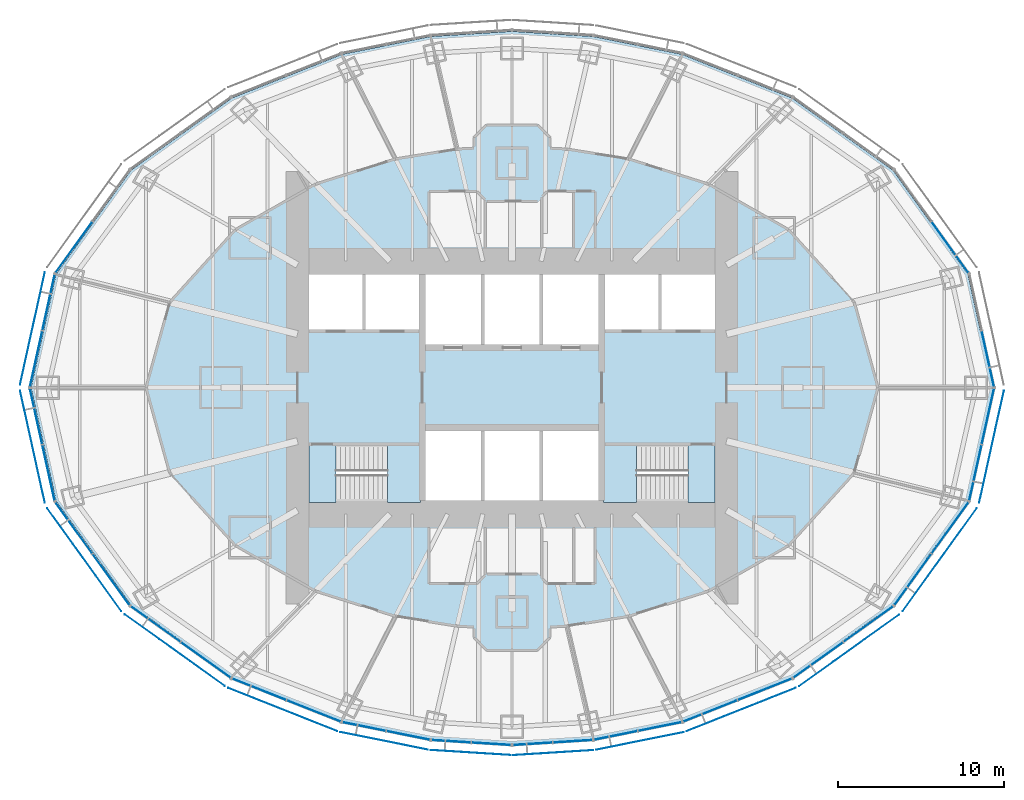
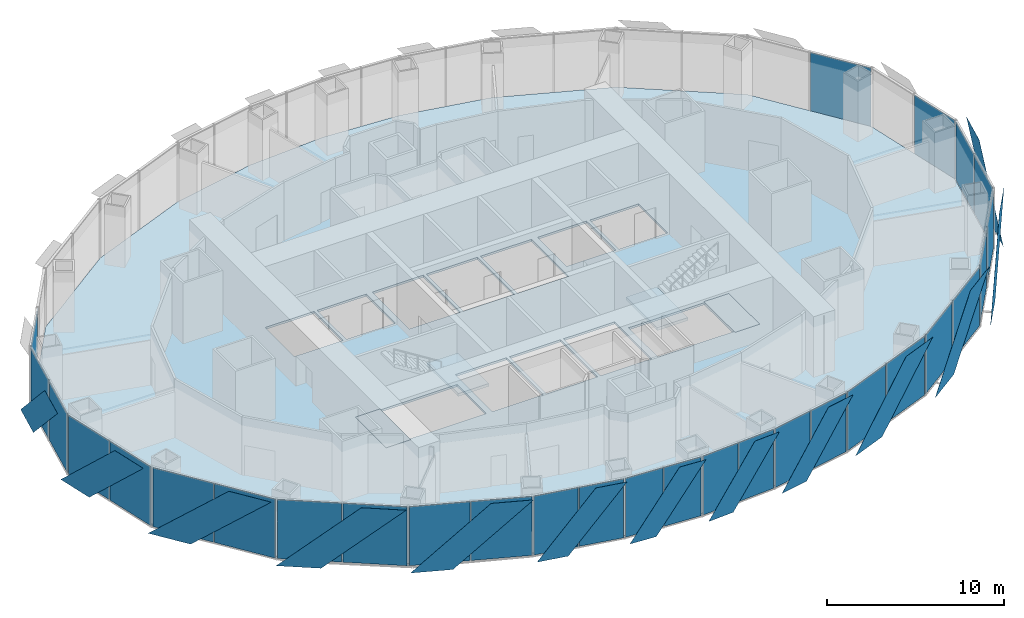
# One storey, part 9 of 18: 42 plates, 5 slabs, 18 elements without a shape of their own.
"""IFC4 building model written with IfcOpenShell, lengths in metres."""

from ifc_helpers import new_model, si_unit, direction, frame, origin, origin_2d, place, context, subcontext, project, spatial, polyline, rectangle, outline, extrude, material, layer, layer_set, type_object, element, aggregate, save


model = new_model("IFC4")

# Units and contexts
model_context = context("Model", 3, precision=1e-05, world=origin(), true_north=direction((0.0, 1.0)))
body_context = subcontext(model_context, "Body", "Model", "MODEL_VIEW")
ifc_project = project(units=[si_unit("LENGTHUNIT", "METRE"), si_unit("AREAUNIT", "SQUARE_METRE"), si_unit("VOLUMEUNIT", "CUBIC_METRE"), si_unit("PLANEANGLEUNIT", "RADIAN"), si_unit("MASSUNIT", "GRAM", prefix="KILO")], contexts=[model_context])

# Site, building, storey
site_placement = place(None, origin())
site = spatial("IfcSite", under=ifc_project, at=site_placement, CompositionType="ELEMENT")
building_placement = place(site_placement, origin())
building = spatial("IfcBuilding", under=site, at=building_placement, Name="Lantaw Convention Tower", CompositionType="ELEMENT")
storey_placement = place(building_placement, frame((0.0, 0.0, 172.0)))
storey = spatial("IfcBuildingStorey", under=building, at=storey_placement, Name="L40", CompositionType="ELEMENT", Elevation=172.0)

# Curtain wall, plate
ifc_material_1 = material(Name="Aluminium framed curtain wall", Category="aluminium")
curtain_wall_type = type_object("IfcCurtainWallType", Name="Office curtain wall low rise, pale aluminium", PredefinedType="USERDEFINED", material=ifc_material_1)
curtain_wall_1_placement = place(storey_placement, origin())
curtain_wall_1 = element("IfcCurtainWall", 1, at=curtain_wall_1_placement, inside=storey, type_object=curtain_wall_type, Name="Office curtain wall low rise, pale aluminium L40", ObjectType="UNITISED CURTAIN WALL", PredefinedType="USERDEFINED")
ifc_material_2 = material(Name="Clear insulating glass", Category="glass")
ifc_layer_1 = layer(ifc_material_2, 0.028076171875)
ifc_layer_set_1 = layer_set([ifc_layer_1], Name="CW-O1 panel 28")
plate_type_1 = type_object("IfcPlateType", Name="CW-O1 panel 28", PredefinedType="CURTAIN_PANEL", material=ifc_layer_set_1)
plate_1_placement = place(storey_placement, frame((28.618408203125, 1.729248046875, -0.0849609375), z_axis=(0.0, 0.0, 1.0), x_axis=(-0.215546166174, 0.9764936509, 0.0)))
plate_1 = element("IfcPlate", 2, at=plate_1_placement, type_object=plate_type_1, Name="CW-O1 panel 1.1", PredefinedType="CURTAIN_PANEL", context=body_context, shape_type="SweptSolid", body=[
    extrude(rectangle(XDim=3.41162109375, YDim=0.028076171875, at=origin_2d()), origin(), (0.0, 0.0, 1.0), 4.070068359375),
])
aggregate(curtain_wall_1, [plate_1])

curtain_wall_2_placement = place(storey_placement, origin())
curtain_wall_2 = element("IfcCurtainWall", 3, at=curtain_wall_2_placement, inside=storey, type_object=curtain_wall_type, Name="Office curtain wall low rise, pale aluminium L40", ObjectType="UNITISED CURTAIN WALL", PredefinedType="USERDEFINED")
plate_2_placement = place(storey_placement, frame((26.34814453125, 8.4345703125, -0.0849609375), z_axis=(0.0, 0.0, 1.0), x_axis=(-0.584512597221, 0.811384633629, 0.0)))
plate_2 = element("IfcPlate", 4, at=plate_2_placement, type_object=plate_type_1, Name="CW-O1 panel 1.1", PredefinedType="CURTAIN_PANEL", context=body_context, shape_type="SweptSolid", body=[
    extrude(rectangle(XDim=3.767333984375, YDim=0.028076171875, at=origin_2d()), origin(), (0.0, 0.0, 1.0), 4.070068359375),
])
aggregate(curtain_wall_2, [plate_2])

curtain_wall_3_placement = place(storey_placement, origin())
curtain_wall_3 = element("IfcCurtainWall", 5, at=curtain_wall_3_placement, inside=storey, type_object=curtain_wall_type, Name="Office curtain wall low rise, pale aluminium L40", ObjectType="UNITISED CURTAIN WALL", PredefinedType="USERDEFINED")
plate_3_placement = place(storey_placement, frame((-26.34814453125, 8.4345703125, -0.0849609375), z_axis=(0.0, 0.0, 1.0), x_axis=(-0.584512597221, -0.811384633629, 0.0)))
plate_3 = element("IfcPlate", 6, at=plate_3_placement, type_object=plate_type_1, Name="CW-O1 panel 2.1", PredefinedType="CURTAIN_PANEL", context=body_context, shape_type="SweptSolid", body=[
    extrude(rectangle(XDim=3.767333984375, YDim=0.028076171875, at=origin_2d()), origin(), (0.0, 0.0, 1.0), 4.070068359375),
])
aggregate(curtain_wall_3, [plate_3])

# Curtain wall, plates
curtain_wall_4_placement = place(storey_placement, origin())
curtain_wall_4 = element("IfcCurtainWall", 7, at=curtain_wall_4_placement, inside=storey, type_object=curtain_wall_type, Name="Office curtain wall low rise, pale aluminium L40", ObjectType="UNITISED CURTAIN WALL", PredefinedType="USERDEFINED")
plate_4_placement = place(storey_placement, frame((-27.868896484375, 5.1240234375, -0.0849609375), z_axis=(0.0, 0.0, 1.0), x_axis=(-0.215546166174, -0.9764936509, 0.0)))
plate_4 = element("IfcPlate", 8, at=plate_4_placement, type_object=plate_type_1, Name="CW-O1 panel 1.1", PredefinedType="CURTAIN_PANEL", context=body_context, shape_type="SweptSolid", body=[
    extrude(rectangle(XDim=3.41162109375, YDim=0.028076171875, at=origin_2d()), origin(), (0.0, 0.0, 1.0), 4.070068359375),
])
plate_5_placement = place(storey_placement, frame((-28.618408203125, 1.729248046875, -0.0849609375), z_axis=(0.0, 0.0, 1.0), x_axis=(-0.215546166174, -0.9764936509, 0.0)))
plate_5 = element("IfcPlate", 9, at=plate_5_placement, type_object=plate_type_1, Name="CW-O1 panel 2.1", PredefinedType="CURTAIN_PANEL", context=body_context, shape_type="SweptSolid", body=[
    extrude(rectangle(XDim=3.41162109375, YDim=0.028076171875, at=origin_2d()), origin(), (0.0, 0.0, 1.0), 4.070068359375),
])
aggregate(curtain_wall_4, [plate_4, plate_5])

curtain_wall_5_placement = place(storey_placement, origin())
curtain_wall_5 = element("IfcCurtainWall", 10, at=curtain_wall_5_placement, inside=storey, type_object=curtain_wall_type, Name="Office curtain wall low rise, pale aluminium L40", ObjectType="UNITISED CURTAIN WALL", PredefinedType="USERDEFINED")
plate_6_placement = place(storey_placement, frame((-28.618408203125, -1.729248046875, -0.0849609375), z_axis=(0.0, 0.0, 1.0), x_axis=(0.215546166174, -0.9764936509, 0.0)))
plate_6 = element("IfcPlate", 11, at=plate_6_placement, type_object=plate_type_1, Name="CW-O1 panel 1.1", PredefinedType="CURTAIN_PANEL", context=body_context, shape_type="SweptSolid", body=[
    extrude(rectangle(XDim=3.41162109375, YDim=0.028076171875, at=origin_2d()), origin(), (0.0, 0.0, 1.0), 4.070068359375),
])
plate_7_placement = place(storey_placement, frame((-27.868896484375, -5.1240234375, -0.0849609375), z_axis=(0.0, 0.0, 1.0), x_axis=(0.215546166174, -0.9764936509, 0.0)))
plate_7 = element("IfcPlate", 12, at=plate_7_placement, type_object=plate_type_1, Name="CW-O1 panel 2.1", PredefinedType="CURTAIN_PANEL", context=body_context, shape_type="SweptSolid", body=[
    extrude(rectangle(XDim=3.41162109375, YDim=0.028076171875, at=origin_2d()), origin(), (0.0, 0.0, 1.0), 4.070068359375),
])
aggregate(curtain_wall_5, [plate_6, plate_7])

curtain_wall_6_placement = place(storey_placement, origin())
curtain_wall_6 = element("IfcCurtainWall", 13, at=curtain_wall_6_placement, inside=storey, type_object=curtain_wall_type, Name="Office curtain wall low rise, pale aluminium L40", ObjectType="UNITISED CURTAIN WALL", PredefinedType="USERDEFINED")
plate_8_placement = place(storey_placement, frame((-26.34814453125, -8.4345703125, -0.0849609375), z_axis=(0.0, 0.0, 1.0), x_axis=(0.584512597221, -0.811384633629, 0.0)))
plate_8 = element("IfcPlate", 14, at=plate_8_placement, type_object=plate_type_1, Name="CW-O1 panel 1.1", PredefinedType="CURTAIN_PANEL", context=body_context, shape_type="SweptSolid", body=[
    extrude(rectangle(XDim=3.767333984375, YDim=0.028076171875, at=origin_2d()), origin(), (0.0, 0.0, 1.0), 4.070068359375),
])
plate_9_placement = place(storey_placement, frame((-24.108154296875, -11.5439453125, -0.0849609375), z_axis=(0.0, 0.0, 1.0), x_axis=(0.584512597221, -0.811384633629, 0.0)))
plate_9 = element("IfcPlate", 15, at=plate_9_placement, type_object=plate_type_1, Name="CW-O1 panel 2.1", PredefinedType="CURTAIN_PANEL", context=body_context, shape_type="SweptSolid", body=[
    extrude(rectangle(XDim=3.767333984375, YDim=0.028076171875, at=origin_2d()), origin(), (0.0, 0.0, 1.0), 4.070068359375),
])
aggregate(curtain_wall_6, [plate_8, plate_9])

curtain_wall_7_placement = place(storey_placement, origin())
curtain_wall_7 = element("IfcCurtainWall", 16, at=curtain_wall_7_placement, inside=storey, type_object=curtain_wall_type, Name="Office curtain wall low rise, pale aluminium L40", ObjectType="UNITISED CURTAIN WALL", PredefinedType="USERDEFINED")
plate_10_placement = place(storey_placement, frame((-21.43408203125, -14.2236328125, -0.0849609375), z_axis=(0.0, 0.0, 1.0), x_axis=(0.813208325995, -0.581972695693, 0.0)))
plate_10 = element("IfcPlate", 17, at=plate_10_placement, type_object=plate_type_1, Name="CW-O1 panel 1.1", PredefinedType="CURTAIN_PANEL", context=body_context, shape_type="SweptSolid", body=[
    extrude(rectangle(XDim=3.645263671875, YDim=0.028076171875, at=origin_2d()), origin(), (0.0, 0.0, 1.0), 4.070068359375),
])
plate_11_placement = place(storey_placement, frame((-18.416748046875, -16.383056640625, -0.0849609375), z_axis=(0.0, 0.0, 1.0), x_axis=(0.813208325995, -0.581972695693, 0.0)))
plate_11 = element("IfcPlate", 18, at=plate_11_placement, type_object=plate_type_1, Name="CW-O1 panel 2.1", PredefinedType="CURTAIN_PANEL", context=body_context, shape_type="SweptSolid", body=[
    extrude(rectangle(XDim=3.645263671875, YDim=0.028076171875, at=origin_2d()), origin(), (0.0, 0.0, 1.0), 4.070068359375),
])
aggregate(curtain_wall_7, [plate_10, plate_11])

curtain_wall_8_placement = place(storey_placement, origin())
curtain_wall_8 = element("IfcCurtainWall", 19, at=curtain_wall_8_placement, inside=storey, type_object=curtain_wall_type, Name="Office curtain wall low rise, pale aluminium L40", ObjectType="UNITISED CURTAIN WALL", PredefinedType="USERDEFINED")
plate_12_placement = place(storey_placement, frame((-15.208251953125, -18.145263671875, -0.0849609375), z_axis=(0.0, 0.0, 1.0), x_axis=(0.929547687544, -0.368701907483, 0.0)))
plate_12 = element("IfcPlate", 20, at=plate_12_placement, type_object=plate_type_1, Name="CW-O1 panel 1.1", PredefinedType="CURTAIN_PANEL", context=body_context, shape_type="SweptSolid", body=[
    extrude(rectangle(XDim=3.470703125, YDim=0.028076171875, at=origin_2d()), origin(), (0.0, 0.0, 1.0), 4.070068359375),
])
plate_13_placement = place(storey_placement, frame((-11.921630859375, -19.448974609375, -0.0849609375), z_axis=(0.0, 0.0, 1.0), x_axis=(0.929547687544, -0.368701907483, 0.0)))
plate_13 = element("IfcPlate", 21, at=plate_13_placement, type_object=plate_type_1, Name="CW-O1 panel 2.1", PredefinedType="CURTAIN_PANEL", context=body_context, shape_type="SweptSolid", body=[
    extrude(rectangle(XDim=3.470703125, YDim=0.028076171875, at=origin_2d()), origin(), (0.0, 0.0, 1.0), 4.070068359375),
])
aggregate(curtain_wall_8, [plate_12, plate_13])

curtain_wall_9_placement = place(storey_placement, origin())
curtain_wall_9 = element("IfcCurtainWall", 22, at=curtain_wall_9_placement, inside=storey, type_object=curtain_wall_type, Name="Office curtain wall low rise, pale aluminium L40", ObjectType="UNITISED CURTAIN WALL", PredefinedType="USERDEFINED")
plate_14_placement = place(storey_placement, frame((-8.893310546875, -20.3857421875, -0.0849609375), z_axis=(0.0, 0.0, 1.0), x_axis=(0.980301514912, -0.197506809659, 0.0)))
plate_14 = element("IfcPlate", 23, at=plate_14_placement, type_object=plate_type_1, Name="CW-O1 panel 1.1", PredefinedType="CURTAIN_PANEL", context=body_context, shape_type="SweptSolid", body=[
    extrude(rectangle(XDim=2.634033203125, YDim=0.028076171875, at=origin_2d()), origin(), (0.0, 0.0, 1.0), 4.070068359375),
])
plate_15_placement = place(storey_placement, frame((-6.247314453125, -20.9189453125, -0.0849609375), z_axis=(0.0, 0.0, 1.0), x_axis=(0.980301514912, -0.197506809659, 0.0)))
plate_15 = element("IfcPlate", 24, at=plate_15_placement, type_object=plate_type_1, Name="CW-O1 panel 2.1", PredefinedType="CURTAIN_PANEL", context=body_context, shape_type="SweptSolid", body=[
    extrude(rectangle(XDim=2.634033203125, YDim=0.028076171875, at=origin_2d()), origin(), (0.0, 0.0, 1.0), 4.070068359375),
])
aggregate(curtain_wall_9, [plate_14, plate_15])

curtain_wall_10_placement = place(storey_placement, origin())
curtain_wall_10 = element("IfcCurtainWall", 25, at=curtain_wall_10_placement, inside=storey, type_object=curtain_wall_type, Name="Office curtain wall low rise, pale aluminium L40", ObjectType="UNITISED CURTAIN WALL", PredefinedType="USERDEFINED")
plate_16_placement = place(storey_placement, frame((-3.653076171875, -21.269775390625, -0.0849609375), z_axis=(0.0, 0.0, 1.0), x_axis=(0.998022035978, -0.062865059466, 0.0)))
plate_16 = element("IfcPlate", 26, at=plate_16_placement, type_object=plate_type_1, Name="CW-O1 panel 1.1", PredefinedType="CURTAIN_PANEL", context=body_context, shape_type="SweptSolid", body=[
    extrude(rectangle(XDim=2.353515625, YDim=0.028076171875, at=origin_2d()), origin(), (0.0, 0.0, 1.0), 4.070068359375),
])
plate_17_placement = place(storey_placement, frame((-1.2392578125, -21.421875, -0.0849609375), z_axis=(0.0, 0.0, 1.0), x_axis=(0.998022035978, -0.062865059466, 0.0)))
plate_17 = element("IfcPlate", 27, at=plate_17_placement, type_object=plate_type_1, Name="CW-O1 panel 2.1", PredefinedType="CURTAIN_PANEL", context=body_context, shape_type="SweptSolid", body=[
    extrude(rectangle(XDim=2.353515625, YDim=0.028076171875, at=origin_2d()), origin(), (0.0, 0.0, 1.0), 4.070068359375),
])
aggregate(curtain_wall_10, [plate_16, plate_17])

curtain_wall_11_placement = place(storey_placement, origin())
curtain_wall_11 = element("IfcCurtainWall", 28, at=curtain_wall_11_placement, inside=storey, type_object=curtain_wall_type, Name="Office curtain wall low rise, pale aluminium L40", ObjectType="UNITISED CURTAIN WALL", PredefinedType="USERDEFINED")
plate_18_placement = place(storey_placement, frame((1.2392578125, -21.421875, -0.0849609375), z_axis=(0.0, 0.0, 1.0), x_axis=(0.998022035978, 0.062865059466, 0.0)))
plate_18 = element("IfcPlate", 29, at=plate_18_placement, type_object=plate_type_1, Name="CW-O1 panel 1.1", PredefinedType="CURTAIN_PANEL", context=body_context, shape_type="SweptSolid", body=[
    extrude(rectangle(XDim=2.353515625, YDim=0.028076171875, at=origin_2d()), origin(), (0.0, 0.0, 1.0), 4.070068359375),
])
plate_19_placement = place(storey_placement, frame((3.653076171875, -21.269775390625, -0.0849609375), z_axis=(0.0, 0.0, 1.0), x_axis=(0.998022035978, 0.062865059466, 0.0)))
plate_19 = element("IfcPlate", 30, at=plate_19_placement, type_object=plate_type_1, Name="CW-O1 panel 2.1", PredefinedType="CURTAIN_PANEL", context=body_context, shape_type="SweptSolid", body=[
    extrude(rectangle(XDim=2.353515625, YDim=0.028076171875, at=origin_2d()), origin(), (0.0, 0.0, 1.0), 4.070068359375),
])
aggregate(curtain_wall_11, [plate_18, plate_19])

curtain_wall_12_placement = place(storey_placement, origin())
curtain_wall_12 = element("IfcCurtainWall", 31, at=curtain_wall_12_placement, inside=storey, type_object=curtain_wall_type, Name="Office curtain wall low rise, pale aluminium L40", ObjectType="UNITISED CURTAIN WALL", PredefinedType="USERDEFINED")
plate_20_placement = place(storey_placement, frame((6.247314453125, -20.9189453125, -0.0849609375), z_axis=(0.0, 0.0, 1.0), x_axis=(0.980301514912, 0.197506809659, 0.0)))
plate_20 = element("IfcPlate", 32, at=plate_20_placement, type_object=plate_type_1, Name="CW-O1 panel 1.1", PredefinedType="CURTAIN_PANEL", context=body_context, shape_type="SweptSolid", body=[
    extrude(rectangle(XDim=2.634033203125, YDim=0.028076171875, at=origin_2d()), origin(), (0.0, 0.0, 1.0), 4.070068359375),
])
plate_21_placement = place(storey_placement, frame((8.893310546875, -20.3857421875, -0.0849609375), z_axis=(0.0, 0.0, 1.0), x_axis=(0.980301514912, 0.197506809659, 0.0)))
plate_21 = element("IfcPlate", 33, at=plate_21_placement, type_object=plate_type_1, Name="CW-O1 panel 2.1", PredefinedType="CURTAIN_PANEL", context=body_context, shape_type="SweptSolid", body=[
    extrude(rectangle(XDim=2.634033203125, YDim=0.028076171875, at=origin_2d()), origin(), (0.0, 0.0, 1.0), 4.070068359375),
])
aggregate(curtain_wall_12, [plate_20, plate_21])

curtain_wall_13_placement = place(storey_placement, origin())
curtain_wall_13 = element("IfcCurtainWall", 34, at=curtain_wall_13_placement, inside=storey, type_object=curtain_wall_type, Name="Office curtain wall low rise, pale aluminium L40", ObjectType="UNITISED CURTAIN WALL", PredefinedType="USERDEFINED")
plate_22_placement = place(storey_placement, frame((11.921630859375, -19.448974609375, -0.0849609375), z_axis=(0.0, 0.0, 1.0), x_axis=(0.929547687544, 0.368701907483, 0.0)))
plate_22 = element("IfcPlate", 35, at=plate_22_placement, type_object=plate_type_1, Name="CW-O1 panel 1.1", PredefinedType="CURTAIN_PANEL", context=body_context, shape_type="SweptSolid", body=[
    extrude(rectangle(XDim=3.470703125, YDim=0.028076171875, at=origin_2d()), origin(), (0.0, 0.0, 1.0), 4.070068359375),
])
plate_23_placement = place(storey_placement, frame((15.208251953125, -18.145263671875, -0.0849609375), z_axis=(0.0, 0.0, 1.0), x_axis=(0.929547687544, 0.368701907483, 0.0)))
plate_23 = element("IfcPlate", 36, at=plate_23_placement, type_object=plate_type_1, Name="CW-O1 panel 2.1", PredefinedType="CURTAIN_PANEL", context=body_context, shape_type="SweptSolid", body=[
    extrude(rectangle(XDim=3.470703125, YDim=0.028076171875, at=origin_2d()), origin(), (0.0, 0.0, 1.0), 4.070068359375),
])
aggregate(curtain_wall_13, [plate_22, plate_23])

curtain_wall_14_placement = place(storey_placement, origin())
curtain_wall_14 = element("IfcCurtainWall", 37, at=curtain_wall_14_placement, inside=storey, type_object=curtain_wall_type, Name="Office curtain wall low rise, pale aluminium L40", ObjectType="UNITISED CURTAIN WALL", PredefinedType="USERDEFINED")
plate_24_placement = place(storey_placement, frame((18.416748046875, -16.383056640625, -0.0849609375), z_axis=(0.0, 0.0, 1.0), x_axis=(0.813208325995, 0.581972695693, 0.0)))
plate_24 = element("IfcPlate", 38, at=plate_24_placement, type_object=plate_type_1, Name="CW-O1 panel 1.1", PredefinedType="CURTAIN_PANEL", context=body_context, shape_type="SweptSolid", body=[
    extrude(rectangle(XDim=3.645263671875, YDim=0.028076171875, at=origin_2d()), origin(), (0.0, 0.0, 1.0), 4.070068359375),
])
plate_25_placement = place(storey_placement, frame((21.43408203125, -14.2236328125, -0.0849609375), z_axis=(0.0, 0.0, 1.0), x_axis=(0.813208325995, 0.581972695693, 0.0)))
plate_25 = element("IfcPlate", 39, at=plate_25_placement, type_object=plate_type_1, Name="CW-O1 panel 2.1", PredefinedType="CURTAIN_PANEL", context=body_context, shape_type="SweptSolid", body=[
    extrude(rectangle(XDim=3.645263671875, YDim=0.028076171875, at=origin_2d()), origin(), (0.0, 0.0, 1.0), 4.070068359375),
])
aggregate(curtain_wall_14, [plate_24, plate_25])

curtain_wall_15_placement = place(storey_placement, origin())
curtain_wall_15 = element("IfcCurtainWall", 40, at=curtain_wall_15_placement, inside=storey, type_object=curtain_wall_type, Name="Office curtain wall low rise, pale aluminium L40", ObjectType="UNITISED CURTAIN WALL", PredefinedType="USERDEFINED")
plate_26_placement = place(storey_placement, frame((24.108154296875, -11.5439453125, -0.0849609375), z_axis=(0.0, 0.0, 1.0), x_axis=(0.584512597221, 0.811384633629, 0.0)))
plate_26 = element("IfcPlate", 41, at=plate_26_placement, type_object=plate_type_1, Name="CW-O1 panel 1.1", PredefinedType="CURTAIN_PANEL", context=body_context, shape_type="SweptSolid", body=[
    extrude(rectangle(XDim=3.767333984375, YDim=0.028076171875, at=origin_2d()), origin(), (0.0, 0.0, 1.0), 4.070068359375),
])
plate_27_placement = place(storey_placement, frame((26.34814453125, -8.4345703125, -0.0849609375), z_axis=(0.0, 0.0, 1.0), x_axis=(0.584512597221, 0.811384633629, 0.0)))
plate_27 = element("IfcPlate", 42, at=plate_27_placement, type_object=plate_type_1, Name="CW-O1 panel 2.1", PredefinedType="CURTAIN_PANEL", context=body_context, shape_type="SweptSolid", body=[
    extrude(rectangle(XDim=3.767333984375, YDim=0.028076171875, at=origin_2d()), origin(), (0.0, 0.0, 1.0), 4.070068359375),
])
aggregate(curtain_wall_15, [plate_26, plate_27])

curtain_wall_16_placement = place(storey_placement, origin())
curtain_wall_16 = element("IfcCurtainWall", 43, at=curtain_wall_16_placement, inside=storey, type_object=curtain_wall_type, Name="Office curtain wall low rise, pale aluminium L40", ObjectType="UNITISED CURTAIN WALL", PredefinedType="USERDEFINED")
plate_28_placement = place(storey_placement, frame((27.868896484375, -5.1240234375, -0.0849609375), z_axis=(0.0, 0.0, 1.0), x_axis=(0.215546166174, 0.9764936509, 0.0)))
plate_28 = element("IfcPlate", 44, at=plate_28_placement, type_object=plate_type_1, Name="CW-O1 panel 1.1", PredefinedType="CURTAIN_PANEL", context=body_context, shape_type="SweptSolid", body=[
    extrude(rectangle(XDim=3.41162109375, YDim=0.028076171875, at=origin_2d()), origin(), (0.0, 0.0, 1.0), 4.070068359375),
])
plate_29_placement = place(storey_placement, frame((28.618408203125, -1.729248046875, -0.0849609375), z_axis=(0.0, 0.0, 1.0), x_axis=(0.215546166174, 0.9764936509, 0.0)))
plate_29 = element("IfcPlate", 45, at=plate_29_placement, type_object=plate_type_1, Name="CW-O1 panel 2.1", PredefinedType="CURTAIN_PANEL", context=body_context, shape_type="SweptSolid", body=[
    extrude(rectangle(XDim=3.41162109375, YDim=0.028076171875, at=origin_2d()), origin(), (0.0, 0.0, 1.0), 4.070068359375),
])
aggregate(curtain_wall_16, [plate_28, plate_29])

# Slab
ifc_material_3 = material(Name="Concrete C35/45", Category="concrete")
ifc_layer_2 = layer(ifc_material_3, 0.14990234375)
ifc_layer_set_2 = layer_set([ifc_layer_2], Name="Floor slab 150")
slab_type_1 = type_object("IfcSlabType", Name="Floor slab 150", PredefinedType="FLOOR", material=ifc_layer_set_2)
slab_1_placement = place(storey_placement, frame((0.0, 0.0, -0.14990234375)))
element("IfcSlab", 46, at=slab_1_placement, inside=storey, type_object=slab_type_1, Name="L40 floor slab", PredefinedType="FLOOR", context=body_context, shape_type="SweptSolid", body=[
    extrude(outline(polyline([(27.417236328125, -6.822021484375), (28.923095703125, 0.0), (27.417236328125, 6.822021484375), (22.915283203125, 13.0712890625), (16.845458984375, 17.415283203125), (10.2265625, 20.04052734375), (4.8828125, 21.1171875), (0.0, 21.4248046875), (-4.8828125, 21.1171875), (-10.2265625, 20.04052734375), (-16.845458984375, 17.415283203125), (-22.915283203125, 13.0712890625), (-27.417236328125, 6.822021484375), (-28.923095703125, 0.0), (-27.417236328125, -6.822021484375), (-22.915283203125, -13.0712890625), (-16.845458984375, -17.415283203125), (-10.2265625, -20.04052734375), (-4.8828125, -21.1171875), (0.0, -21.4248046875), (4.8828125, -21.1171875), (10.2265625, -20.04052734375), (16.845458984375, -17.415283203125), (22.915283203125, -13.0712890625), (27.417236328125, -6.822021484375)]), holes=[polyline([(-5.60009765625, -3.5), (-12.199951171875, -3.5), (-12.199951171875, -6.800048828125), (-5.60009765625, -6.800048828125), (-5.60009765625, -3.5)]), polyline([(-1.86669921875, -6.800048828125), (-1.86669921875, -2.60009765625), (-5.199951171875, -2.60009765625), (-5.199951171875, -6.800048828125), (-1.86669921875, -6.800048828125)]), polyline([(-1.86669921875, 2.60009765625), (-1.86669921875, 6.800048828125), (-5.199951171875, 6.800048828125), (-5.199951171875, 2.60009765625), (-1.86669921875, 2.60009765625)]), polyline([(1.666748046875, 6.800048828125), (-1.666748046875, 6.800048828125), (-1.666748046875, 2.60009765625), (1.666748046875, 2.60009765625), (1.666748046875, 6.800048828125)]), polyline([(-9.0, 3.5), (-9.0, 6.800048828125), (-12.199951171875, 6.800048828125), (-12.199951171875, 3.5), (-9.0, 3.5)]), polyline([(-5.60009765625, 3.5), (-5.60009765625, 6.800048828125), (-8.800048828125, 6.800048828125), (-8.800048828125, 3.5), (-5.60009765625, 3.5)]), polyline([(12.199951171875, -3.5), (5.60009765625, -3.5), (5.60009765625, -6.800048828125), (12.199951171875, -6.800048828125), (12.199951171875, -3.5)]), polyline([(1.666748046875, -6.800048828125), (1.666748046875, -2.60009765625), (-1.666748046875, -2.60009765625), (-1.666748046875, -6.800048828125), (1.666748046875, -6.800048828125)]), polyline([(5.199951171875, -6.800048828125), (5.199951171875, -2.60009765625), (1.86669921875, -2.60009765625), (1.86669921875, -6.800048828125), (5.199951171875, -6.800048828125)]), polyline([(5.199951171875, 6.800048828125), (1.86669921875, 6.800048828125), (1.86669921875, 2.60009765625), (5.199951171875, 2.60009765625), (5.199951171875, 6.800048828125)]), polyline([(8.800048828125, 3.5), (8.800048828125, 6.800048828125), (5.60009765625, 6.800048828125), (5.60009765625, 3.5), (8.800048828125, 3.5)]), polyline([(12.199951171875, 3.5), (12.199951171875, 6.800048828125), (9.0, 6.800048828125), (9.0, 3.5), (12.199951171875, 3.5)])]), origin(), (0.0, 0.0, 1.0), 0.14990234375),
])

# Plates
ifc_material_4 = material(Name="Perforated aluminium sheet, pale silver finish", Category="aluminium")
ifc_layer_3 = layer(ifc_material_4, 0.006103515625)
ifc_layer_set_3 = layer_set([ifc_layer_3], Name="Perforated aluminium solar SCREEN panel")
plate_type_2 = type_object("IfcPlateType", Name="Perforated aluminium solar SCREEN panel", PredefinedType="SHEET", material=ifc_layer_set_3)
plate_30_placement = place(storey_placement, frame((-28.08984375, 6.93505859375, -0.175048828125), z_axis=(0.976497812463, -0.215527309509, 3.332717e-05), x_axis=(-0.215527309629, -0.976497813005, -1.665e-09)))
element("IfcPlate", 47, at=plate_30_placement, inside=storey, type_object=plate_type_2, Name="Solar SCREEN panel", PredefinedType="SHEET", context=body_context, shape_type="SweptSolid", body=[
    extrude(outline(polyline([(0.0, 0.0), (2.386131748388921, 0.0), (6.918240176095255, -4.340087904553372), (4.532055808734257, -4.3400878966079945), (0.0, 0.0)])), origin(), (0.0, 0.0, -1.0), 0.006103515625),
])
plate_31_placement = place(storey_placement, frame((-29.5810546875, -0.179443359375, -0.175048828125), z_axis=(-0.976497812463, -0.215527309509, 3.332717e-05), x_axis=(0.215527309629, -0.976497813005, 1.665e-09)))
element("IfcPlate", 48, at=plate_31_placement, inside=storey, type_object=plate_type_2, Name="Solar SCREEN panel", PredefinedType="SHEET", context=body_context, shape_type="SweptSolid", body=[
    extrude(outline(polyline([(0.0, 0.0), (2.3861843673609986, 3.3881317890172014e-21), (6.918240190546627, 4.340087881517419), (4.532108442157707, 4.340087889462621), (0.0, 0.0)])), origin(), (0.0, 0.0, -1.0), 0.006103515625),
])
plate_32_placement = place(storey_placement, frame((-27.94970703125, -7.248046875, -0.175048828125), z_axis=(-0.81139512159, -0.584498037099, 3.5886784e-05), x_axis=(0.584498037475, -0.811395122112, -9.74e-10)))
element("IfcPlate", 49, at=plate_32_placement, inside=storey, type_object=plate_type_2, Name="Solar SCREEN panel", PredefinedType="SHEET", context=body_context, shape_type="SweptSolid", body=[
    extrude(outline(polyline([(0.0, 0.0), (2.628222178575422, -6.776263578034403e-21), (7.629778257969264, 4.340087900852944), (5.001754173906077, 4.340087895732103), (0.0, 0.0)])), origin(), (0.0, 0.0, -1.0), 0.006103515625),
])
plate_33_placement = place(storey_placement, frame((-23.281005859375, -13.64697265625, -0.175048828125), z_axis=(-0.582000183937, -0.813188653244, 1.1537145e-05), x_axis=(0.813188653298, -0.582000183975, 0.0)))
element("IfcPlate", 50, at=plate_33_placement, inside=storey, type_object=plate_type_2, Name="Solar SCREEN panel", PredefinedType="SHEET", context=body_context, shape_type="SweptSolid", body=[
    extrude(outline(polyline([(0.0, 0.0), (2.5450183911586484, 0.0), (7.385531276904658, 4.340087890913846), (4.840512885746009, 4.340087890913846), (0.0, 0.0)])), origin(), (0.0, 0.0, -1.0), 0.006103515625),
])
plate_34_placement = place(storey_placement, frame((-17.05859375, -18.063232421875, -0.175048828125), z_axis=(0.368708915367, 0.929544907797, 1.086705e-05), x_axis=(0.929544907851, -0.368708915389, 7.1e-10)))
element("IfcPlate", 51, at=plate_34_placement, inside=storey, type_object=plate_type_2, Name="Solar SCREEN panel", PredefinedType="SHEET", context=body_context, shape_type="SweptSolid", body=[
    extrude(outline(polyline([(0.0, 0.0), (2.4263803793049097, -1.6940658945086007e-21), (7.036549629566982, -4.340087885886879), (4.61003232741235, -4.340087889331358), (0.0, 0.0)])), origin(), (0.0, 0.0, -1.0), 0.006103515625),
])
plate_35_placement = place(storey_placement, frame((-10.318603515625, -20.716796875, -0.175048828125), z_axis=(-0.197556725442, -0.980291455983, 3.9483498e-05), x_axis=(0.980291456747, -0.197556725596, 0.0)))
element("IfcPlate", 52, at=plate_35_placement, inside=storey, type_object=plate_type_2, Name="Solar SCREEN panel", PredefinedType="SHEET", context=body_context, shape_type="SweptSolid", body=[
    extrude(outline(polyline([(0.0, 0.0), (1.8574075788555457, 3.3881317890172014e-21), (5.362987026845185, 4.340087894007983), (3.505579447989639, 4.340087894007983), (0.0, 0.0)])), origin(), (0.0, 0.0, -1.0), 0.006103515625),
])
plate_36_placement = place(storey_placement, frame((-4.880615234375, -21.7998046875, -0.175048828125), z_axis=(-0.062838799866, -0.998023689713, 1.755059e-06), x_axis=(0.998023689715, -0.062838799866, -8e-12)))
element("IfcPlate", 53, at=plate_36_placement, inside=storey, type_object=plate_type_2, Name="Solar SCREEN panel", PredefinedType="SHEET", context=body_context, shape_type="SweptSolid", body=[
    extrude(outline(polyline([(0.0, 0.0), (1.6666243269452135, 2.6469779601696886e-23), (4.802214797186689, 4.340087890670476), (3.135346812114104, 4.340087890643548), (0.0, 0.0)])), origin(), (0.0, 0.0, -1.0), 0.006103515625),
])
plate_37_placement = place(storey_placement, frame((0.087890625, -22.1015625, -0.175048828125), z_axis=(-0.062838799866, 0.998023689713, 1.755059e-06), x_axis=(0.998023689715, 0.062838799866, 8e-12)))
element("IfcPlate", 54, at=plate_37_placement, inside=storey, type_object=plate_type_2, Name="Solar SCREEN panel", PredefinedType="SHEET", context=body_context, shape_type="SweptSolid", body=[
    extrude(outline(polyline([(0.0, 0.0), (1.6668679850725854, -5.293955920339377e-23), (4.802214797256801, -4.340087890592899), (3.1355904703115876, -4.340087890619822), (0.0, 0.0)])), origin(), (0.0, 0.0, -1.0), 0.006103515625),
])
plate_38_placement = place(storey_placement, frame((5.061279296875, -21.776123046875, -0.175048828125), z_axis=(-0.197556725442, 0.980291455983, 3.9483498e-05), x_axis=(0.980291456747, 0.197556725596, 0.0)))
element("IfcPlate", 55, at=plate_38_placement, inside=storey, type_object=plate_type_2, Name="Solar SCREEN panel", PredefinedType="SHEET", context=body_context, shape_type="SweptSolid", body=[
    extrude(outline(polyline([(0.0, 0.0), (1.8574075788555457, -3.3881317890172014e-21), (5.362987026845185, -4.340087894007983), (3.505579447989639, -4.340087894007983), (0.0, 0.0)])), origin(), (0.0, 0.0, -1.0), 0.006103515625),
])
plate_39_placement = place(storey_placement, frame((10.517822265625, -20.65771484375, -0.175048828125), z_axis=(0.368708915367, -0.929544907797, 1.086705e-05), x_axis=(0.929544907851, 0.368708915389, -7.1e-10)))
element("IfcPlate", 56, at=plate_39_placement, inside=storey, type_object=plate_type_2, Name="Solar SCREEN panel", PredefinedType="SHEET", context=body_context, shape_type="SweptSolid", body=[
    extrude(outline(polyline([(0.0, 0.0), (2.426517302154632, -1.6940658945086007e-21), (7.036549623406159, 4.340087895875372), (4.610169244101249, 4.340087892431086), (0.0, 0.0)])), origin(), (0.0, 0.0, -1.0), 0.006103515625),
])
plate_40_placement = place(storey_placement, frame((17.275146484375, -17.9453125, -0.175048828125), z_axis=(-0.582000183937, 0.813188653244, 1.1537145e-05), x_axis=(0.813188653298, 0.582000183975, 0.0)))
element("IfcPlate", 57, at=plate_40_placement, inside=storey, type_object=plate_type_2, Name="Solar SCREEN panel", PredefinedType="SHEET", context=body_context, shape_type="SweptSolid", body=[
    extrude(outline(polyline([(0.0, 0.0), (2.5450183911586484, 0.0), (7.385531276904658, -4.340087890913846), (4.840512885746009, -4.340087890913846), (0.0, 0.0)])), origin(), (0.0, 0.0, -1.0), 0.006103515625),
])
plate_41_placement = place(storey_placement, frame((23.489990234375, -13.438720703125, -0.175048828125), z_axis=(-0.81139512159, 0.584498037099, 3.5886784e-05), x_axis=(0.584498037475, 0.811395122112, 9.74e-10)))
element("IfcPlate", 58, at=plate_41_placement, inside=storey, type_object=plate_type_2, Name="Solar SCREEN panel", PredefinedType="SHEET", context=body_context, shape_type="SweptSolid", body=[
    extrude(outline(polyline([(0.0, 0.0), (2.6280240840631874, -6.776263578034403e-21), (7.6297782664261495, -4.340087885985926), (5.0015560878507275, -4.340087891107152), (0.0, 0.0)])), origin(), (0.0, 0.0, -1.0), 0.006103515625),
])
plate_42_placement = place(storey_placement, frame((28.08984375, -6.93505859375, -0.175048828125), z_axis=(-0.976497812463, 0.215527309509, 3.332717e-05), x_axis=(0.215527309629, 0.976497813005, -1.665e-09)))
element("IfcPlate", 59, at=plate_42_placement, inside=storey, type_object=plate_type_2, Name="Solar SCREEN panel", PredefinedType="SHEET", context=body_context, shape_type="SweptSolid", body=[
    extrude(outline(polyline([(0.0, 0.0), (2.386131748388921, 0.0), (6.918240176095255, -4.340087904553372), (4.532055808734257, -4.3400878966079945), (0.0, 0.0)])), origin(), (0.0, 0.0, -1.0), 0.006103515625),
])

# Stair, slabs
stair_type = type_object("IfcStairType", Name="Exit stair 1500 riser 175 in 2 flights", PredefinedType="HALF_TURN_STAIR", material=ifc_material_3)
stair_1_placement = place(storey_placement, origin())
stair_1 = element("IfcStair", 60, at=stair_1_placement, inside=storey, type_object=stair_type, Name="Exit stair S1 L40", PredefinedType="HALF_TURN_STAIR")
ifc_layer_4 = layer(ifc_material_3, 0.199951171875)
ifc_layer_set_4 = layer_set([ifc_layer_4], Name="Stair landing 200")
slab_type_2 = type_object("IfcSlabType", Name="Stair landing 200", PredefinedType="LANDING", material=ifc_layer_set_4)
slab_2_placement = place(storey_placement, frame((0.0, 0.0, -0.199951171875)))
slab_2 = element("IfcSlab", 61, at=slab_2_placement, type_object=slab_type_2, Name="S1 landing 1", PredefinedType="LANDING", context=body_context, shape_type="SweptSolid", body=[
    extrude(outline(polyline([(-12.199951171875, -6.89990234375), (-10.580078125, -6.89990234375), (-10.580078125, -3.39990234375), (-12.199951171875, -3.39990234375), (-12.199951171875, -6.89990234375)])), origin(), (0.0, 0.0, 1.0), 0.199951171875),
])
slab_3_placement = place(storey_placement, frame((0.0, 0.0, 1.89990234375)))
slab_3 = element("IfcSlab", 62, at=slab_3_placement, type_object=slab_type_2, Name="S1 landing 2", PredefinedType="LANDING", context=body_context, shape_type="SweptSolid", body=[
    extrude(outline(polyline([(-7.5, -6.89990234375), (-5.5, -6.89990234375), (-5.5, -3.39990234375), (-7.5, -3.39990234375), (-7.5, -6.89990234375)])), origin(), (0.0, 0.0, 1.0), 0.2001953125),
])
aggregate(stair_1, [slab_2, slab_3])

stair_2_placement = place(storey_placement, origin())
stair_2 = element("IfcStair", 63, at=stair_2_placement, inside=storey, type_object=stair_type, Name="Exit stair S2 L40", PredefinedType="HALF_TURN_STAIR")
slab_4_placement = place(storey_placement, frame((0.0, 0.0, -0.199951171875)))
slab_4 = element("IfcSlab", 64, at=slab_4_placement, type_object=slab_type_2, Name="S2 landing 1", PredefinedType="LANDING", context=body_context, shape_type="SweptSolid", body=[
    extrude(outline(polyline([(10.580078125, -6.89990234375), (12.199951171875, -6.89990234375), (12.199951171875, -3.39990234375), (10.580078125, -3.39990234375), (10.580078125, -6.89990234375)])), origin(), (0.0, 0.0, 1.0), 0.199951171875),
])
slab_5_placement = place(storey_placement, frame((0.0, 0.0, 1.89990234375)))
slab_5 = element("IfcSlab", 65, at=slab_5_placement, type_object=slab_type_2, Name="S2 landing 2", PredefinedType="LANDING", context=body_context, shape_type="SweptSolid", body=[
    extrude(outline(polyline([(5.5, -6.89990234375), (7.5, -6.89990234375), (7.5, -3.39990234375), (5.5, -3.39990234375), (5.5, -6.89990234375)])), origin(), (0.0, 0.0, 1.0), 0.2001953125),
])
aggregate(stair_2, [slab_4, slab_5])

save(model, "model.ifc")
